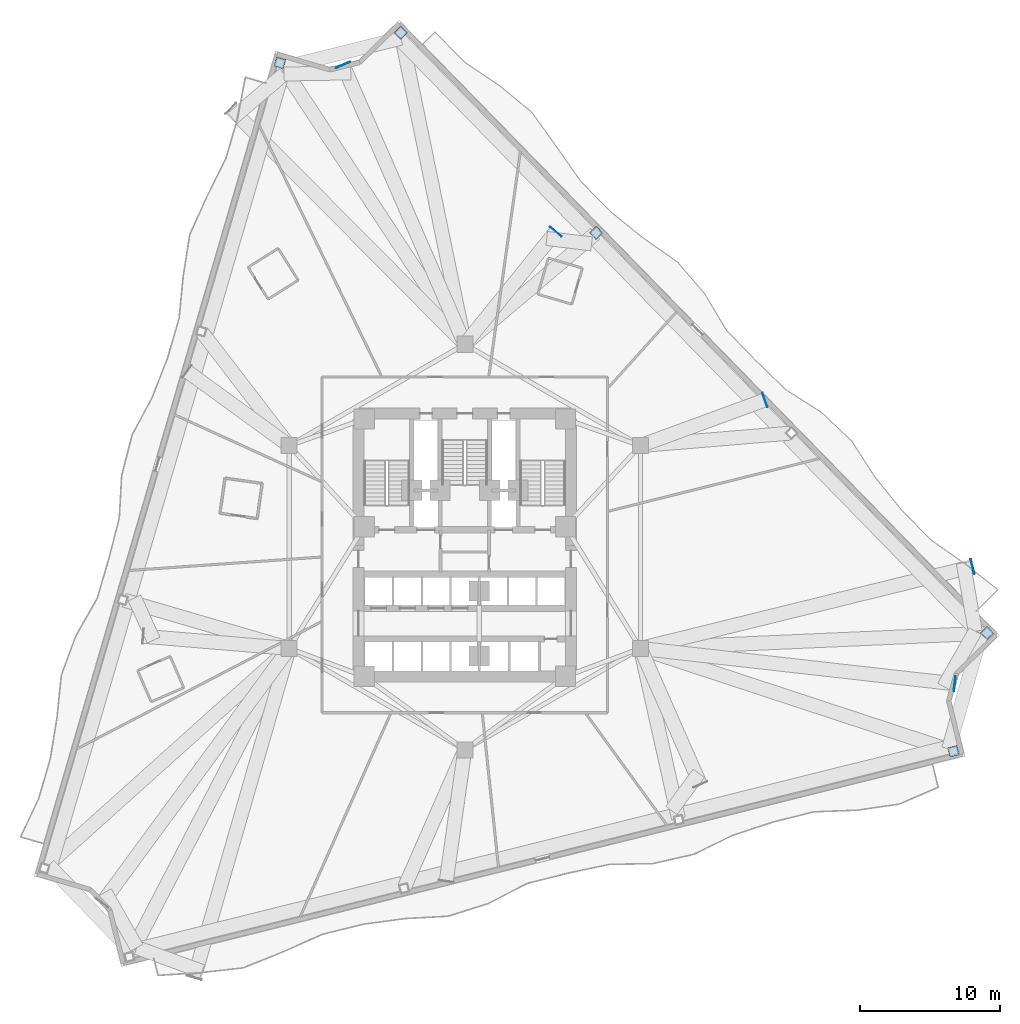
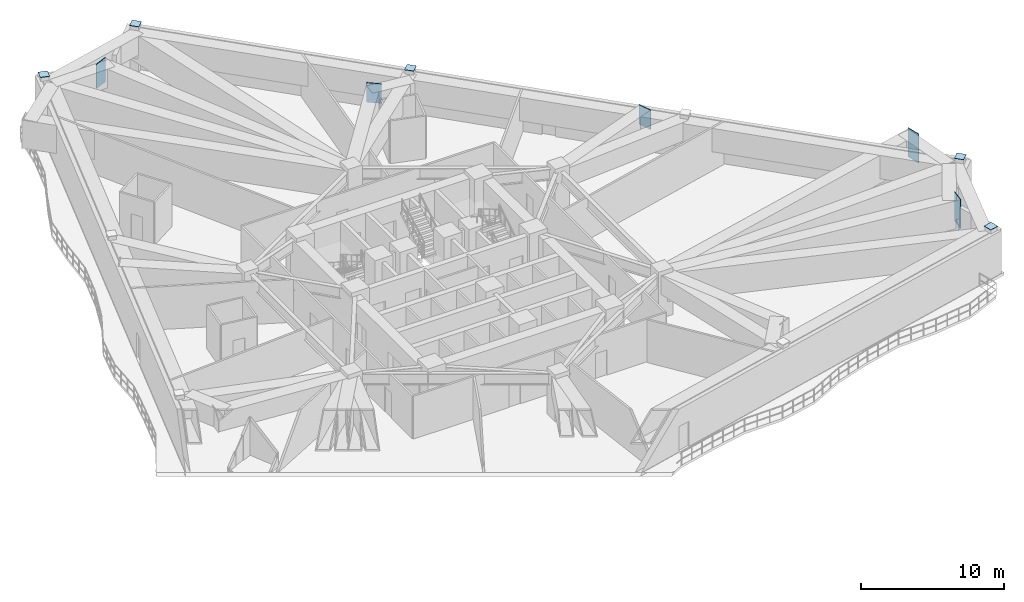
# One storey, part 6 of 14: 10 plates.
"""IFC4 building model written with IfcOpenShell, lengths in metres."""

from ifc_helpers import new_model, si_unit, direction, frame, origin, origin_2d, place, context, subcontext, project, spatial, rectangle, extrude, material, layer, layer_set, type_object, element, save


model = new_model("IFC4")

# Units and contexts
model_context = context("Model", 3, precision=1e-05, world=origin(), true_north=direction((0.0, 1.0)))
body_context = subcontext(model_context, "Body", "Model", "MODEL_VIEW")
ifc_project = project(units=[si_unit("LENGTHUNIT", "METRE"), si_unit("AREAUNIT", "SQUARE_METRE"), si_unit("VOLUMEUNIT", "CUBIC_METRE"), si_unit("PLANEANGLEUNIT", "RADIAN"), si_unit("MASSUNIT", "GRAM", prefix="KILO")], contexts=[model_context])

# Site, building, storey
site_placement = place(None, origin())
site = spatial("IfcSite", under=ifc_project, at=site_placement, CompositionType="ELEMENT")
building_placement = place(site_placement, origin())
building = spatial("IfcBuilding", under=site, at=building_placement, Name="Apsidion Concourse Tower", CompositionType="ELEMENT")
storey_placement = place(building_placement, frame((0.0, 0.0, 123.0)))
storey = spatial("IfcBuildingStorey", under=building, at=storey_placement, Name="L28", CompositionType="ELEMENT", Elevation=123.0)

# Plates
ifc_material = material(Name="Structural steel ASTM A572 Grade 50", Category="steel")
ifc_layer = layer(ifc_material, 0.034912109375)
ifc_layer_set = layer_set([ifc_layer], Name="Structural steel ASTM A572 Grade 50")
plate_type = type_object("IfcPlateType", Name="PL-ENDCAP-35", PredefinedType="USERDEFINED", material=ifc_layer_set)
for number, where, z_axis, x_axis, name in (
    (1, (-13.221435546875, 34.61669921875, 3.998046875), (0.0, 0.0, 1.0), (0.28083422227, 0.959756291775, 0.0), "L28 Step-Top Column End-Cap Plate PCCAP-PC01"),
    (2, (34.939208984375, -14.60888671875, 3.998046875), (0.0, 0.0, 1.0), (0.970295726276, 0.2419218956, 0.0), "L28 Step-Top Column End-Cap Plate PCCAP-PC08"),
    (3, (37.337158203125, -6.15966796875, 3.998046875), (0.0, 0.0, 1.0), (-0.698540186739, 0.715570826341, 0.0), "L28 Step-Top Column End-Cap Plate PCCAP-PC09"),
    (4, (9.393798828125, 22.461181640625, 3.998046875), (0.0, 0.0, 1.0), (-0.698540186739, 0.715570826341, 0.0), "L28 Step-Top Column End-Cap Plate PCCAP-PC11"),
    (5, (-4.57763671875, 36.771728515625, 3.998046875), (0.0, 0.0, 1.0), (-0.698540186739, 0.715570826341, 0.0), "L28 Step-Top Column End-Cap Plate PCCAP-PC12"),
):
    element("IfcPlate", number, at=place(storey_placement, frame(where, z_axis=z_axis, x_axis=x_axis)), inside=storey, type_object=plate_type, Name=name, ObjectType="FLANGE_PLATE", PredefinedType="USERDEFINED", context=body_context, shape_type="SweptSolid", body=[
        extrude(rectangle(XDim=0.679931640625, YDim=0.679931640625, at=origin_2d()), origin(), (0.0, 0.0, 1.0), 0.0400390625),
    ])
for number, where, z_axis, x_axis, name in (
    (6, (35.034423828125, -9.7802734375, 1.2099609375), (0.0, 0.0, 1.0), (0.99372894862, -0.111815815852, 0.0), "L28 Radial Transfer Girder End-Cap Plate NTRCAP-08"),
    (7, (36.308349609375, -1.400634765625, 1.2099609375), (0.0, 0.0, 1.0), (0.970967515495, 0.239211379021, 0.0), "L28 Radial Transfer Girder End-Cap Plate NTRCAP-09"),
):
    element("IfcPlate", number, at=place(storey_placement, frame(where, z_axis=z_axis, x_axis=x_axis)), inside=storey, type_object=plate_type, Name=name, ObjectType="FLANGE_PLATE", PredefinedType="USERDEFINED", context=body_context, shape_type="SweptSolid", body=[
        extrude(rectangle(XDim=0.044921875, YDim=1.080078125, at=origin_2d()), origin(), (0.0, 0.0, 1.0), 2.47998046875),
    ])
for number, where, z_axis, x_axis, name in (
    (8, (21.457763671875, 10.513427734375, 2.01025390625), (0.0, 0.0, 1.0), (0.938854103536, 0.344315222252, 0.0), "L28 Radial Transfer Girder End-Cap Plate NTRCAP-10"),
    (9, (6.5048828125, 22.54833984375, 2.01025390625), (0.0, 0.0, 1.0), (0.628641963719, 0.777694851116, 0.0), "L28 Radial Transfer Girder End-Cap Plate NTRCAP-11"),
):
    element("IfcPlate", number, at=place(storey_placement, frame(where, z_axis=z_axis, x_axis=x_axis)), inside=storey, type_object=plate_type, Name=name, ObjectType="FLANGE_PLATE", PredefinedType="USERDEFINED", context=body_context, shape_type="SweptSolid", body=[
        extrude(rectangle(XDim=0.044921875, YDim=1.080078125, at=origin_2d()), origin(), (0.0, 0.0, 1.0), 1.679931640625),
    ])
plate_placement = place(storey_placement, frame((-8.71240234375, 34.474853515625, 1.60986328125), z_axis=(0.0, 0.0, 1.0), x_axis=(-0.399869171297, 0.916572226203, 0.0)))
element("IfcPlate", 10, at=plate_placement, inside=storey, type_object=plate_type, Name="L28 Radial Transfer Girder End-Cap Plate NTRCAP-12", ObjectType="FLANGE_PLATE", PredefinedType="USERDEFINED", context=body_context, shape_type="SweptSolid", body=[
    extrude(rectangle(XDim=0.044921875, YDim=1.080078125, at=origin_2d()), origin(), (0.0, 0.0, 1.0), 2.080078125),
])

save(model, "model.ifc")
